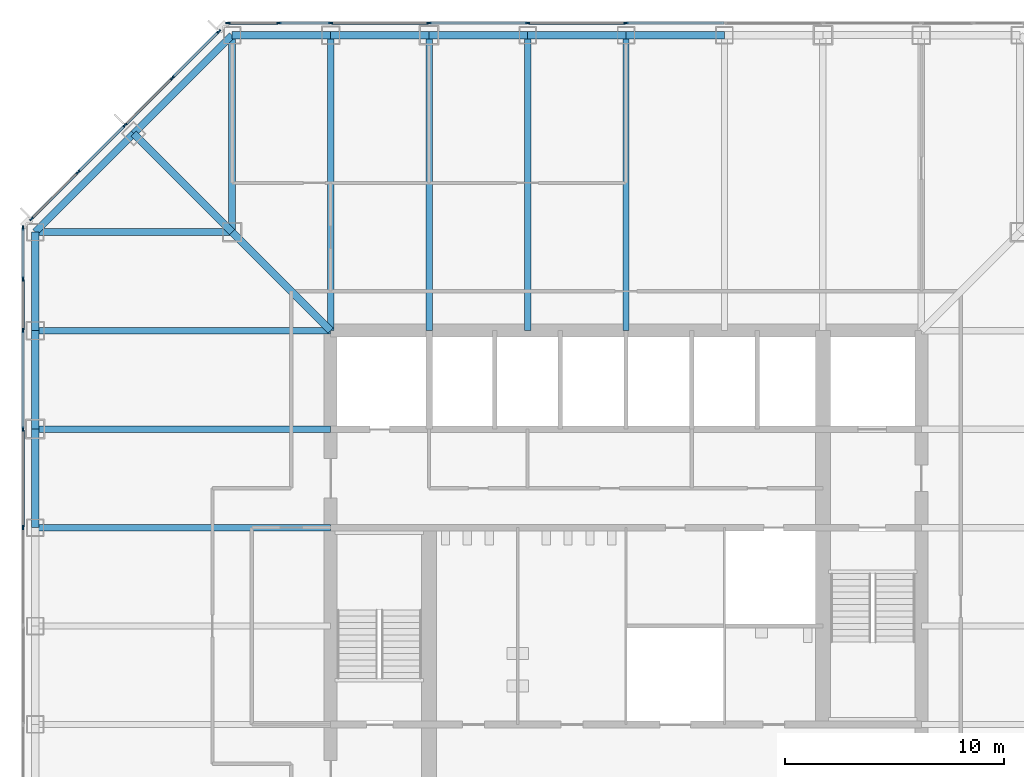
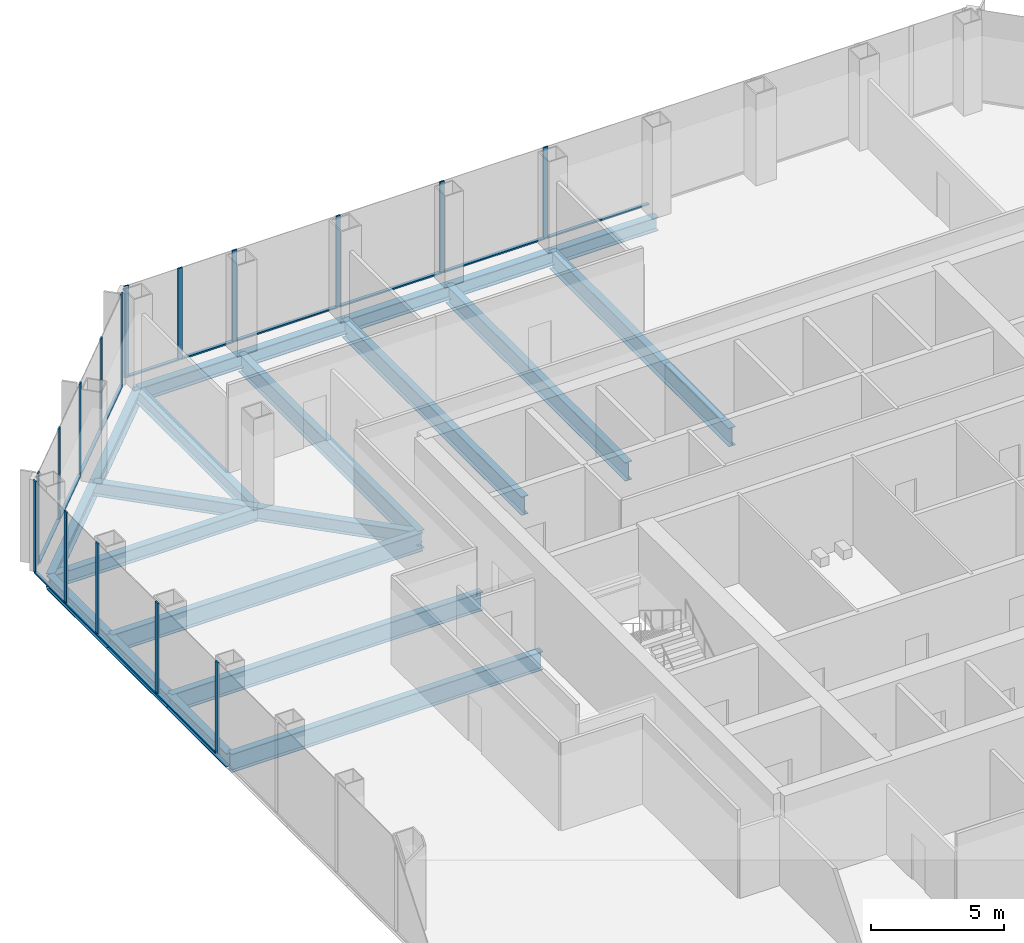
# One storey, part 5 of 12: 30 members, 21 beams, 3 elements without a shape of their own.
"""IFC4 building model written with IfcOpenShell, lengths in metres."""

import ifcopenshell
import ifcopenshell.guid

model = None  # the IFC model being written
_history = None  # IfcOwnerHistory: only IFC2X3 demands one
_inside = {}  # id of a spatial element -> (the spatial element, [elements in it])
_under = {}  # id of a project, library or spatial element -> (it, [spatial elements below it])
_declared = {}  # id of a project -> (the project, [libraries it declares])
_typed = {}  # id of a type object -> (the type object, [elements of that type])
_made_of = {}  # id of a material, layer set ... -> (it, [elements and type objects made of it])


def new_model(schema):
    """Start an empty IFC model of exactly this schema.

    Asked for "IFC4X3", IfcOpenShell would pick the latest addendum, in which some entities
    have other attributes; the version numbers below select the first issue.
    IFC2X3 requires an IfcOwnerHistory on every rooted entity: one is made here for all.
    """
    global model, _history
    if schema == "IFC4X3":
        model = ifcopenshell.file(schema_version=(4, 3, 0, 0))
    else:
        model = ifcopenshell.file(schema=schema)
    _inside.clear()
    _under.clear()
    _declared.clear()
    _typed.clear()
    _made_of.clear()
    _history = None
    if model.schema == "IFC2X3":
        org = make("IfcOrganization", Name="unknown")
        user = make(
            "IfcPersonAndOrganization",
            ThePerson=make("IfcPerson", FamilyName="unknown"),
            TheOrganization=org,
        )
        app = make(
            "IfcApplication",
            ApplicationDeveloper=org,
            Version="unknown",
            ApplicationFullName="unknown",
            ApplicationIdentifier="unknown",
        )
        _history = make(
            "IfcOwnerHistory",
            OwningUser=user,
            OwningApplication=app,
            ChangeAction="ADDED",
            CreationDate=0,
        )
    return model


def make(cls, **values):
    """One entity of the class cls with the attributes given. An attribute that is None is left unset."""
    return model.create_entity(
        cls, **{name: value for name, value in values.items() if value is not None}
    )


def rooted(cls, **values):
    """An entity with a GlobalId (a new one), such as an element, a storey or a relation."""
    return make(cls, GlobalId=ifcopenshell.guid.new(), OwnerHistory=_history, **values)


def si_unit(unit_type, name, prefix=None):
    """IfcSIUnit, for example si_unit("LENGTHUNIT", "METRE", prefix="MILLI")."""
    return make("IfcSIUnit", UnitType=unit_type, Prefix=prefix, Name=name)


def assignment(units):
    """IfcUnitAssignment: the units of a project."""
    return None if units is None else make("IfcUnitAssignment", Units=units)


def point(xyz):
    """IfcCartesianPoint."""
    return None if xyz is None else make("IfcCartesianPoint", Coordinates=xyz)


def direction(xyz):
    """IfcDirection."""
    return None if xyz is None else make("IfcDirection", DirectionRatios=xyz)


def frame(location, z_axis=None, x_axis=None):
    """IfcAxis2Placement3D, a coordinate frame: its origin and axes. An axis left out is left unset."""
    return make(
        "IfcAxis2Placement3D",
        Location=point(location),
        Axis=direction(z_axis),
        RefDirection=direction(x_axis),
    )


def frame_2d(location, x_axis=None):
    """IfcAxis2Placement2D, a coordinate frame in the plane: its origin and x axis."""
    return make(
        "IfcAxis2Placement2D", Location=point(location), RefDirection=direction(x_axis)
    )


def origin():
    """The frame at (0, 0, 0) with its axes left unset."""
    return frame((0.0, 0.0, 0.0))


def origin_2d():
    """The frame at (0, 0) in the plane with its x axis left unset."""
    return frame_2d((0.0, 0.0))


def place(relative_to, where):
    """IfcLocalPlacement: puts the frame where relative to a parent placement (None: the world)."""
    return make(
        "IfcLocalPlacement", PlacementRelTo=relative_to, RelativePlacement=where
    )


def context(
    kind, dimensions, precision=None, world=None, true_north=None, identifier=None
):
    """IfcGeometricRepresentationContext, for example the 3D "Model" context."""
    return make(
        "IfcGeometricRepresentationContext",
        ContextIdentifier=identifier,
        ContextType=kind,
        CoordinateSpaceDimension=dimensions,
        Precision=precision,
        WorldCoordinateSystem=world,
        TrueNorth=true_north,
    )


def subcontext(parent, identifier, kind, view, scale=None):
    """IfcGeometricRepresentationSubContext, for example "Body" below "Model"."""
    return make(
        "IfcGeometricRepresentationSubContext",
        ContextIdentifier=identifier,
        ContextType=kind,
        ParentContext=parent,
        TargetScale=scale,
        TargetView=view,
    )


def project(units=None, contexts=None):
    """IfcProject with its units and contexts."""
    return rooted(
        "IfcProject",
        Name="project",
        RepresentationContexts=contexts,
        UnitsInContext=assignment(units),
    )


def spatial(cls, under=None, at=None, **own):
    """A site, building, storey or space (cls), placed at a placement, below another one or the project."""
    s = rooted(cls, ObjectPlacement=at, **own)
    if under is not None:
        _under.setdefault(under.id(), (under, []))[1].append(s)
    return s


def profile(cls, at=None, kind="AREA", **sizes):
    """A parametric profile (cls). Its sizes go by their IFC names, for example OverallWidth=200.0."""
    return make(cls, ProfileType=kind, Position=at, **sizes)


def rectangle(**sizes):
    """IfcRectangleProfileDef."""
    return profile("IfcRectangleProfileDef", **sizes)


def i_section(**sizes):
    """IfcIShapeProfileDef."""
    return profile("IfcIShapeProfileDef", **sizes)


def extrude(swept, where, along, depth):
    """IfcExtrudedAreaSolid: the profile swept, set in the frame where, extruded along a direction by depth."""
    return make(
        "IfcExtrudedAreaSolid",
        SweptArea=swept,
        Position=where,
        ExtrudedDirection=direction(along),
        Depth=depth,
    )


def shape(context_of_items, identifier, shape_type, items):
    """IfcShapeRepresentation: the items that make up one representation, for example the "Body"."""
    return make(
        "IfcShapeRepresentation",
        ContextOfItems=context_of_items,
        RepresentationIdentifier=identifier,
        RepresentationType=shape_type,
        Items=items,
    )


def material(Name=None, Category=None):
    """IfcMaterial."""
    return make("IfcMaterial", Name=Name, Category=Category)


def material_profile(
    of_material, cross_section, Name=None, Category=None, Priority=None
):
    """IfcMaterialProfile: a cross section and its material."""
    return make(
        "IfcMaterialProfile",
        Name=Name,
        Material=of_material,
        Profile=cross_section,
        Priority=Priority,
        Category=Category,
    )


def profile_set(profiles, Name=None, composite=None):
    """IfcMaterialProfileSet."""
    return make(
        "IfcMaterialProfileSet",
        Name=Name,
        MaterialProfiles=profiles,
        CompositeProfile=composite,
    )


def made_of(thing, what):
    """Note that an element or type object is made of a material, layer set ...; save() writes the relation."""
    if what is not None:
        _made_of.setdefault(what.id(), (what, []))[1].append(thing)
    return thing


def type_object(cls, material=None, **own):
    """A type object (cls), such as IfcWallType, which elements share."""
    return made_of(rooted(cls, **own), material)


def element(
    cls,
    number,
    at=None,
    inside=None,
    cuts=None,
    type_object=None,
    material=None,
    context=None,
    identifier="Body",
    shape_type=None,
    held_by="IfcProductDefinitionShape",
    body=None,
    shapes=None,
    **own,
):
    """One element of the class cls, such as IfcWall. Its Tag is "e" and its number.

    at: its placement. inside: the storey or other place that contains it. cuts: it is an
    opening in that element (IfcRelVoidsElement). A single representation is given by context,
    identifier, shape_type and body (its items); several are given by shapes. held_by: the class
    of the entity that holds the representations. save() writes the other relations.
    """
    e = rooted(cls, Tag="e%d" % number, ObjectPlacement=at, **own)
    if body is not None:
        shapes = [shape(context, identifier, shape_type, body)]
    if shapes is not None:
        e.Representation = make(held_by, Representations=shapes)
    if inside is not None:
        _inside.setdefault(inside.id(), (inside, []))[1].append(e)
    if cuts is not None:
        rooted(
            "IfcRelVoidsElement", RelatingBuildingElement=cuts, RelatedOpeningElement=e
        )
    if type_object is not None:
        _typed.setdefault(type_object.id(), (type_object, []))[1].append(e)
    return made_of(e, material)


def aggregate(whole, parts):
    """IfcRelAggregates: a whole, such as a stair, and the parts it consists of."""
    return rooted("IfcRelAggregates", RelatingObject=whole, RelatedObjects=parts)


def save(model, path):
    """Write the relations noted so far, then the file.

    IfcRelAggregates (storeys below a building ...), IfcRelContainedInSpatialStructure (elements
    in a storey), IfcRelDefinesByType, IfcRelAssociatesMaterial and IfcRelDeclares: one each for
    every whole, place, type object, material and project.
    """
    for whole, parts in _under.values():
        aggregate(whole, parts)
    for where, things in _inside.values():
        rooted(
            "IfcRelContainedInSpatialStructure",
            RelatedElements=things,
            RelatingStructure=where,
        )
    for kind, things in _typed.values():
        rooted("IfcRelDefinesByType", RelatedObjects=things, RelatingType=kind)
    for what, things in _made_of.values():
        rooted("IfcRelAssociatesMaterial", RelatedObjects=things, RelatingMaterial=what)
    for by, libraries in _declared.values():
        rooted("IfcRelDeclares", RelatingContext=by, RelatedDefinitions=libraries)
    model.write(path)


model = new_model("IFC4")

# Units and contexts
model_context = context("Model", 3, precision=1e-05, world=origin(), true_north=direction((0.0, 1.0)))
body_context = subcontext(model_context, "Body", "Model", "MODEL_VIEW")
ifc_project = project(units=[si_unit("LENGTHUNIT", "METRE"), si_unit("AREAUNIT", "SQUARE_METRE"), si_unit("VOLUMEUNIT", "CUBIC_METRE"), si_unit("PLANEANGLEUNIT", "RADIAN"), si_unit("MASSUNIT", "GRAM", prefix="KILO")], contexts=[model_context])

# Site, building, storey
site_placement = place(None, origin())
site = spatial("IfcSite", under=ifc_project, at=site_placement, CompositionType="ELEMENT")
building_placement = place(site_placement, origin())
building = spatial("IfcBuilding", under=site, at=building_placement, Name="Corais Broadcast Tower", CompositionType="ELEMENT")
storey_placement = place(building_placement, frame((0.0, 0.0, 45.800048828125)))
storey = spatial("IfcBuildingStorey", under=building, at=storey_placement, Name="L09", CompositionType="ELEMENT", Elevation=45.800048828125)

# Beams
ifc_material_1 = material(Name="Steel ASTM A572 Grade 50", Category="steel")
ifc_material_profile_1 = material_profile(ifc_material_1, i_section(OverallWidth=0.323974609375, OverallDepth=0.611083984375, WebThickness=0.0126953125, FlangeThickness=0.01904296875, at=origin_2d()), Name="W610x155")
ifc_profile_set_1 = profile_set([ifc_material_profile_1], Name="Steel ASTM A572 Grade 50")
beam_type_1 = type_object("IfcBeamType", Name="Chamfer tie W610x155", PredefinedType="BEAM", material=ifc_profile_set_1)
beam_1_placement = place(storey_placement, frame((4.5, 49.5, -0.465576171875), z_axis=(0.707106781187, -0.707106781187, 0.0), x_axis=(0.707106781187, 0.707106781187, 0.0)))
element("IfcBeam", 1, at=beam_1_placement, inside=storey, type_object=beam_type_1, Name="B5 M/4 to L/5", PredefinedType="BEAM", context=body_context, shape_type="SweptSolid", body=[
    extrude(i_section(OverallWidth=0.323974609375, OverallDepth=0.611083984375, WebThickness=0.0126953125, FlangeThickness=0.01904296875, at=origin_2d()), origin(), (0.0, 0.0, 1.0), 6.364013671875),
])
ifc_material_2 = material(Name="Steel ASTM A572 Grade 50", Category="steel")
ifc_material_profile_2 = material_profile(ifc_material_2, i_section(OverallWidth=0.323974609375, OverallDepth=0.611083984375, WebThickness=0.0126953125, FlangeThickness=0.01904296875, at=origin_2d()), Name="W610x155")
ifc_profile_set_2 = profile_set([ifc_material_profile_2], Name="Steel ASTM A572 Grade 50")
beam_type_2 = type_object("IfcBeamType", Name="Corner diagonal W610x155", PredefinedType="BEAM", material=ifc_profile_set_2)
beam_2_placement = place(storey_placement, frame((9.0, 45.0, -0.465576171875), z_axis=(0.707106781187, -0.707106781187, 0.0), x_axis=(0.707106781187, 0.707106781187, 0.0)))
element("IfcBeam", 2, at=beam_2_placement, inside=storey, type_object=beam_type_2, Name="B6 L/5 to K/6", PredefinedType="BEAM", context=body_context, shape_type="SweptSolid", body=[
    extrude(i_section(OverallWidth=0.323974609375, OverallDepth=0.611083984375, WebThickness=0.0126953125, FlangeThickness=0.01904296875, at=origin_2d()), origin(), (0.0, 0.0, 1.0), 6.364013671875),
])
ifc_material_3 = material(Name="Steel ASTM A572 Grade 50", Category="steel")
ifc_material_profile_3 = material_profile(ifc_material_3, i_section(OverallWidth=0.323974609375, OverallDepth=0.611083984375, WebThickness=0.0126953125, FlangeThickness=0.01904296875, at=origin_2d()), Name="W610x155")
ifc_profile_set_3 = profile_set([ifc_material_profile_3], Name="Steel ASTM A572 Grade 50")
beam_type_3 = type_object("IfcBeamType", Name="Corner girder W610x155", PredefinedType="BEAM", material=ifc_profile_set_3)
for number, where, z_axis, x_axis, name in (
    (3, (0.0, 45.0, -0.465576171875), (1.0, 0.0, 0.0), (0.0, 1.0, 0.0), "B4 L/3 to L/5"),
    (4, (9.0, 54.0, -0.465576171875), (0.0, -1.0, 0.0), (1.0, 0.0, 0.0), "B4 N/5 to L/5"),
):
    element("IfcBeam", number, at=place(storey_placement, frame(where, z_axis=z_axis, x_axis=x_axis)), inside=storey, type_object=beam_type_3, Name=name, PredefinedType="BEAM", context=body_context, shape_type="SweptSolid", body=[
        extrude(i_section(OverallWidth=0.323974609375, OverallDepth=0.611083984375, WebThickness=0.0126953125, FlangeThickness=0.01904296875, at=origin_2d()), origin(), (0.0, 0.0, 1.0), 9.0),
    ])
ifc_material_4 = material(Name="Steel ASTM A572 Grade 50", Category="steel")
ifc_material_profile_4 = material_profile(ifc_material_4, i_section(OverallWidth=0.2939453125, OverallDepth=0.85107421875, WebThickness=0.01611328125, FlangeThickness=0.02685546875, at=origin_2d()), Name="W840x226")
ifc_profile_set_4 = profile_set([ifc_material_profile_4], Name="Steel ASTM A572 Grade 50")
beam_type_4 = type_object("IfcBeamType", Name="Floor beam W840x226", PredefinedType="BEAM", material=ifc_profile_set_4)
for number, where, z_axis, x_axis, name in (
    (5, (0.0, 31.5, -0.58544921875), (1.0, 0.0, 0.0), (0.0, 1.0, 0.0), "B1 H/3 to H/6"),
    (6, (0.0, 36.0, -0.58544921875), (1.0, 0.0, 0.0), (0.0, 1.0, 0.0), "B1 J/3 to J/6"),
    (7, (0.0, 40.5, -0.58544921875), (1.0, 0.0, 0.0), (0.0, 1.0, 0.0), "B1 K/3 to K/6"),
    (8, (13.5, 54.0, -0.58544921875), (0.0, -1.0, 0.0), (1.0, 0.0, 0.0), "B1 N/6 to K/6"),
    (9, (18.0, 54.0, -0.58544921875), (0.0, -1.0, 0.0), (1.0, 0.0, 0.0), "B1 N/7 to K/7"),
    (10, (22.5, 54.0, -0.58544921875), (0.0, -1.0, 0.0), (1.0, 0.0, 0.0), "B1 N/8 to K/8"),
    (11, (27.0, 54.0, -0.58544921875), (0.0, -1.0, 0.0), (1.0, 0.0, 0.0), "B1 N/9 to K/9"),
):
    element("IfcBeam", number, at=place(storey_placement, frame(where, z_axis=z_axis, x_axis=x_axis)), inside=storey, type_object=beam_type_4, Name=name, PredefinedType="BEAM", context=body_context, shape_type="SweptSolid", body=[
        extrude(i_section(OverallWidth=0.2939453125, OverallDepth=0.85107421875, WebThickness=0.01611328125, FlangeThickness=0.02685546875, at=origin_2d()), origin(), (0.0, 0.0, 1.0), 13.5),
    ])

# Curtain wall, members
ifc_material_5 = material(Name="Aluminium and glass", Category="aluminium")
curtain_wall_type = type_object("IfcCurtainWallType", Name="Unitised fritted curtain wall CW1", PredefinedType="NOTDEFINED", material=ifc_material_5)
curtain_wall_1_placement = place(storey_placement, origin())
curtain_wall_1 = element("IfcCurtainWall", 12, at=curtain_wall_1_placement, inside=storey, type_object=curtain_wall_type, Name="CW1 curtain wall L09 2", PredefinedType="NOTDEFINED")
ifc_material_6 = material(Name="Aluminium 6063-T6", Category="aluminium")
ifc_material_profile_5 = material_profile(ifc_material_6, rectangle(XDim=0.06494140625, YDim=0.199951171875, at=origin_2d()), Name="Mullion CW1 65x200")
ifc_profile_set_5 = profile_set([ifc_material_profile_5], Name="Aluminium 6063-T6")
member_type_1 = type_object("IfcMemberType", Name="Mullion CW1 65x200", PredefinedType="MULLION", material=ifc_profile_set_5)
member_1_placement = place(storey_placement, frame((-0.550048828125, 31.5, 0.0), z_axis=(0.0, 0.0, 1.0), x_axis=(-1.0, 0.0, 0.0)))
member_1 = element("IfcMember", 13, at=member_1_placement, type_object=member_type_1, Name="CW1 mullion 7", PredefinedType="MULLION", context=body_context, shape_type="SweptSolid", body=[
    extrude(rectangle(XDim=0.06494140625, YDim=0.199951171875, at=origin_2d()), origin(), (0.0, 0.0, 1.0), 4.199951171875),
])
member_2_placement = place(storey_placement, frame((-0.550048828125, 36.0, 0.0), z_axis=(0.0, 0.0, 1.0), x_axis=(-1.0, 0.0, 0.0)))
member_2 = element("IfcMember", 14, at=member_2_placement, type_object=member_type_1, Name="CW1 mullion 8", PredefinedType="MULLION", context=body_context, shape_type="SweptSolid", body=[
    extrude(rectangle(XDim=0.06494140625, YDim=0.199951171875, at=origin_2d()), origin(), (0.0, 0.0, 1.0), 4.199951171875),
])
member_3_placement = place(storey_placement, frame((-0.550048828125, 40.5, 0.0), z_axis=(0.0, 0.0, 1.0), x_axis=(-1.0, 0.0, 0.0)))
member_3 = element("IfcMember", 15, at=member_3_placement, type_object=member_type_1, Name="CW1 mullion 9", PredefinedType="MULLION", context=body_context, shape_type="SweptSolid", body=[
    extrude(rectangle(XDim=0.06494140625, YDim=0.199951171875, at=origin_2d()), origin(), (0.0, 0.0, 1.0), 4.199951171875),
])
member_4_placement = place(storey_placement, frame((-0.550048828125, 42.864013671875, 0.0), z_axis=(0.0, 0.0, 1.0), x_axis=(-1.0, 0.0, 0.0)))
member_4 = element("IfcMember", 16, at=member_4_placement, type_object=member_type_1, Name="CW1 mullion 10", PredefinedType="MULLION", context=body_context, shape_type="SweptSolid", body=[
    extrude(rectangle(XDim=0.06494140625, YDim=0.199951171875, at=origin_2d()), origin(), (0.0, 0.0, 1.0), 4.199951171875),
])
member_5_placement = place(storey_placement, frame((-0.550048828125, 45.1953125, 0.0), z_axis=(0.0, 0.0, 1.0), x_axis=(-1.0, 0.0, 0.0)))
member_5 = element("IfcMember", 17, at=member_5_placement, type_object=member_type_1, Name="CW1 mullion 11", PredefinedType="MULLION", context=body_context, shape_type="SweptSolid", body=[
    extrude(rectangle(XDim=0.06494140625, YDim=0.199951171875, at=origin_2d()), origin(), (0.0, 0.0, 1.0), 4.199951171875),
])

curtain_wall_2_placement = place(storey_placement, origin())
curtain_wall_2 = element("IfcCurtainWall", 18, at=curtain_wall_2_placement, inside=storey, type_object=curtain_wall_type, Name="CW1 curtain wall L09 3", PredefinedType="NOTDEFINED")
member_6_placement = place(storey_placement, frame((-0.17333984375, 45.6044921875, 0.0), z_axis=(0.0, 0.0, 1.0), x_axis=(-0.707106781187, 0.707106781187, 0.0)))
member_6 = element("IfcMember", 19, at=member_6_placement, type_object=member_type_1, Name="CW1 mullion 1", PredefinedType="MULLION", context=body_context, shape_type="SweptSolid", body=[
    extrude(rectangle(XDim=0.06494140625, YDim=0.199951171875, at=origin_2d()), origin(), (0.0, 0.0, 1.0), 4.199951171875),
])
member_7_placement = place(storey_placement, frame((1.957275390625, 47.735107421875, 0.0), z_axis=(0.0, 0.0, 1.0), x_axis=(-0.707106781187, 0.707106781187, 0.0)))
member_7 = element("IfcMember", 20, at=member_7_placement, type_object=member_type_1, Name="CW1 mullion 2", PredefinedType="MULLION", context=body_context, shape_type="SweptSolid", body=[
    extrude(rectangle(XDim=0.06494140625, YDim=0.199951171875, at=origin_2d()), origin(), (0.0, 0.0, 1.0), 4.199951171875),
])
member_8_placement = place(storey_placement, frame((4.111083984375, 49.888916015625, 0.0), z_axis=(0.0, 0.0, 1.0), x_axis=(-0.707106781187, 0.707106781187, 0.0)))
member_8 = element("IfcMember", 21, at=member_8_placement, type_object=member_type_1, Name="CW1 mullion 3", PredefinedType="MULLION", context=body_context, shape_type="SweptSolid", body=[
    extrude(rectangle(XDim=0.06494140625, YDim=0.199951171875, at=origin_2d()), origin(), (0.0, 0.0, 1.0), 4.199951171875),
])
member_9_placement = place(storey_placement, frame((6.264892578125, 52.042724609375, 0.0), z_axis=(0.0, 0.0, 1.0), x_axis=(-0.707106781187, 0.707106781187, 0.0)))
member_9 = element("IfcMember", 22, at=member_9_placement, type_object=member_type_1, Name="CW1 mullion 4", PredefinedType="MULLION", context=body_context, shape_type="SweptSolid", body=[
    extrude(rectangle(XDim=0.06494140625, YDim=0.199951171875, at=origin_2d()), origin(), (0.0, 0.0, 1.0), 4.199951171875),
])
member_10_placement = place(storey_placement, frame((8.3955078125, 54.17333984375, 0.0), z_axis=(0.0, 0.0, 1.0), x_axis=(-0.707106781187, 0.707106781187, 0.0)))
member_10 = element("IfcMember", 23, at=member_10_placement, type_object=member_type_1, Name="CW1 mullion 5", PredefinedType="MULLION", context=body_context, shape_type="SweptSolid", body=[
    extrude(rectangle(XDim=0.06494140625, YDim=0.199951171875, at=origin_2d()), origin(), (0.0, 0.0, 1.0), 4.199951171875),
])

curtain_wall_3_placement = place(storey_placement, origin())
curtain_wall_3 = element("IfcCurtainWall", 24, at=curtain_wall_3_placement, inside=storey, type_object=curtain_wall_type, Name="CW1 curtain wall L09 4", PredefinedType="NOTDEFINED")
member_11_placement = place(storey_placement, frame((8.8046875, 54.550048828125, 0.0), z_axis=(0.0, 0.0, 1.0), x_axis=(0.0, 1.0, 0.0)))
member_11 = element("IfcMember", 25, at=member_11_placement, type_object=member_type_1, Name="CW1 mullion 1", PredefinedType="MULLION", context=body_context, shape_type="SweptSolid", body=[
    extrude(rectangle(XDim=0.06494140625, YDim=0.199951171875, at=origin_2d()), origin(), (0.0, 0.0, 1.0), 4.199951171875),
])
member_12_placement = place(storey_placement, frame((11.135986328125, 54.550048828125, 0.0), z_axis=(0.0, 0.0, 1.0), x_axis=(0.0, 1.0, 0.0)))
member_12 = element("IfcMember", 26, at=member_12_placement, type_object=member_type_1, Name="CW1 mullion 2", PredefinedType="MULLION", context=body_context, shape_type="SweptSolid", body=[
    extrude(rectangle(XDim=0.06494140625, YDim=0.199951171875, at=origin_2d()), origin(), (0.0, 0.0, 1.0), 4.199951171875),
])
member_13_placement = place(storey_placement, frame((13.5, 54.550048828125, 0.0), z_axis=(0.0, 0.0, 1.0), x_axis=(0.0, 1.0, 0.0)))
member_13 = element("IfcMember", 27, at=member_13_placement, type_object=member_type_1, Name="CW1 mullion 3", PredefinedType="MULLION", context=body_context, shape_type="SweptSolid", body=[
    extrude(rectangle(XDim=0.06494140625, YDim=0.199951171875, at=origin_2d()), origin(), (0.0, 0.0, 1.0), 4.199951171875),
])
member_14_placement = place(storey_placement, frame((18.0, 54.550048828125, 0.0), z_axis=(0.0, 0.0, 1.0), x_axis=(0.0, 1.0, 0.0)))
member_14 = element("IfcMember", 28, at=member_14_placement, type_object=member_type_1, Name="CW1 mullion 4", PredefinedType="MULLION", context=body_context, shape_type="SweptSolid", body=[
    extrude(rectangle(XDim=0.06494140625, YDim=0.199951171875, at=origin_2d()), origin(), (0.0, 0.0, 1.0), 4.199951171875),
])
member_15_placement = place(storey_placement, frame((22.5, 54.550048828125, 0.0), z_axis=(0.0, 0.0, 1.0), x_axis=(0.0, 1.0, 0.0)))
member_15 = element("IfcMember", 29, at=member_15_placement, type_object=member_type_1, Name="CW1 mullion 5", PredefinedType="MULLION", context=body_context, shape_type="SweptSolid", body=[
    extrude(rectangle(XDim=0.06494140625, YDim=0.199951171875, at=origin_2d()), origin(), (0.0, 0.0, 1.0), 4.199951171875),
])
member_16_placement = place(storey_placement, frame((27.0, 54.550048828125, 0.0), z_axis=(0.0, 0.0, 1.0), x_axis=(0.0, 1.0, 0.0)))
member_16 = element("IfcMember", 30, at=member_16_placement, type_object=member_type_1, Name="CW1 mullion 6", PredefinedType="MULLION", context=body_context, shape_type="SweptSolid", body=[
    extrude(rectangle(XDim=0.06494140625, YDim=0.199951171875, at=origin_2d()), origin(), (0.0, 0.0, 1.0), 4.199951171875),
])

# Beams
ifc_material_7 = material(Name="Steel ASTM A572 Grade 50", Category="steel")
ifc_material_profile_6 = material_profile(ifc_material_7, i_section(OverallWidth=0.3291015625, OverallDepth=0.635009765625, WebThickness=0.017822265625, FlangeThickness=0.031005859375, at=origin_2d()), Name="W610x241")
ifc_profile_set_6 = profile_set([ifc_material_profile_6], Name="Steel ASTM A572 Grade 50")
beam_type_5 = type_object("IfcBeamType", Name="Spandrel W610x241", PredefinedType="BEAM", material=ifc_profile_set_6)
for number, where, z_axis, x_axis, name in (
    (31, (0.0, 36.0, -0.4775390625), (0.0, -1.0, 0.0), (1.0, 0.0, 0.0), "SB1 J/3 to H/3"),
    (32, (0.0, 40.5, -0.4775390625), (0.0, -1.0, 0.0), (1.0, 0.0, 0.0), "SB1 K/3 to J/3"),
    (33, (0.0, 45.0, -0.4775390625), (0.0, -1.0, 0.0), (1.0, 0.0, 0.0), "SB1 L/3 to K/3"),
    (34, (13.5, 54.0, -0.4775390625), (-1.0, 0.0, 0.0), (0.0, -1.0, 0.0), "SB1 N/6 to N/5"),
    (35, (18.0, 54.0, -0.4775390625), (-1.0, 0.0, 0.0), (0.0, -1.0, 0.0), "SB1 N/7 to N/6"),
    (36, (22.5, 54.0, -0.4775390625), (-1.0, 0.0, 0.0), (0.0, -1.0, 0.0), "SB1 N/8 to N/7"),
    (37, (27.0, 54.0, -0.4775390625), (-1.0, 0.0, 0.0), (0.0, -1.0, 0.0), "SB1 N/9 to N/8"),
    (38, (31.5, 54.0, -0.4775390625), (-1.0, 0.0, 0.0), (0.0, -1.0, 0.0), "SB1 N/10 to N/9"),
):
    element("IfcBeam", number, at=place(storey_placement, frame(where, z_axis=z_axis, x_axis=x_axis)), inside=storey, type_object=beam_type_5, Name=name, PredefinedType="BEAM", context=body_context, shape_type="SweptSolid", body=[
        extrude(i_section(OverallWidth=0.3291015625, OverallDepth=0.635009765625, WebThickness=0.017822265625, FlangeThickness=0.031005859375, at=origin_2d()), origin(), (0.0, 0.0, 1.0), 4.5),
    ])
for number, where, z_axis, x_axis, name in (
    (39, (4.5, 49.5, -0.4775390625), (-0.707106781187, -0.707106781187, 0.0), (0.707106781187, -0.707106781187, 0.0), "SB1 M/4 to L/3"),
    (40, (9.0, 54.0, -0.4775390625), (-0.707106781187, -0.707106781187, 0.0), (0.707106781187, -0.707106781187, 0.0), "SB1 N/5 to M/4"),
):
    element("IfcBeam", number, at=place(storey_placement, frame(where, z_axis=z_axis, x_axis=x_axis)), inside=storey, type_object=beam_type_5, Name=name, PredefinedType="BEAM", context=body_context, shape_type="SweptSolid", body=[
        extrude(i_section(OverallWidth=0.3291015625, OverallDepth=0.635009765625, WebThickness=0.017822265625, FlangeThickness=0.031005859375, at=origin_2d()), origin(), (0.0, 0.0, 1.0), 6.364013671875),
    ])

# Member
ifc_material_8 = material(Name="Aluminium 6063-T6", Category="aluminium")
ifc_material_profile_7 = material_profile(ifc_material_8, rectangle(XDim=0.139892578125, YDim=0.06494140625, at=origin_2d()), Name="Transom CW1 65x140")
ifc_profile_set_7 = profile_set([ifc_material_profile_7], Name="Aluminium 6063-T6")
member_type_2 = type_object("IfcMemberType", Name="Transom CW1 65x140", PredefinedType="USERDEFINED", material=ifc_profile_set_7)
member_17_placement = place(storey_placement, frame((-0.550048828125, 31.532470703125, 0.032470703125), z_axis=(0.0, 1.0, 0.0), x_axis=(-1.0, 0.0, 0.0)))
member_17 = element("IfcMember", 41, at=member_17_placement, type_object=member_type_2, Name="CW1 transom 7.1", ObjectType="TRANSOM", PredefinedType="USERDEFINED", context=body_context, shape_type="SweptSolid", body=[
    extrude(rectangle(XDim=0.139892578125, YDim=0.06494140625, at=origin_2d()), origin(), (0.0, 0.0, 1.0), 4.43505859375),
])

member_18_placement = place(storey_placement, frame((-0.550048828125, 36.032470703125, 0.032470703125), z_axis=(0.0, 1.0, 0.0), x_axis=(-1.0, 0.0, 0.0)))
member_18 = element("IfcMember", 42, at=member_18_placement, type_object=member_type_2, Name="CW1 transom 8.1", ObjectType="TRANSOM", PredefinedType="USERDEFINED", context=body_context, shape_type="SweptSolid", body=[
    extrude(rectangle(XDim=0.139892578125, YDim=0.06494140625, at=origin_2d()), origin(), (0.0, 0.0, 1.0), 4.43505859375),
])

member_19_placement = place(storey_placement, frame((-0.550048828125, 40.532470703125, 0.032470703125), z_axis=(0.0, 1.0, 0.0), x_axis=(-1.0, 0.0, 0.0)))
member_19 = element("IfcMember", 43, at=member_19_placement, type_object=member_type_2, Name="CW1 transom 9.1", ObjectType="TRANSOM", PredefinedType="USERDEFINED", context=body_context, shape_type="SweptSolid", body=[
    extrude(rectangle(XDim=0.139892578125, YDim=0.06494140625, at=origin_2d()), origin(), (0.0, 0.0, 1.0), 2.298828125),
])

member_20_placement = place(storey_placement, frame((-0.550048828125, 42.896484375, 0.032470703125), z_axis=(0.0, 1.0, 0.0), x_axis=(-1.0, 0.0, 0.0)))
member_20 = element("IfcMember", 44, at=member_20_placement, type_object=member_type_2, Name="CW1 transom 10.1", ObjectType="TRANSOM", PredefinedType="USERDEFINED", context=body_context, shape_type="SweptSolid", body=[
    extrude(rectangle(XDim=0.139892578125, YDim=0.06494140625, at=origin_2d()), origin(), (0.0, 0.0, 1.0), 2.266357421875),
])

aggregate(curtain_wall_1, [member_1, member_2, member_3, member_4, member_5, member_17, member_18, member_19, member_20])

member_21_placement = place(storey_placement, frame((-0.150390625, 45.62744140625, 0.032470703125), z_axis=(0.707106781187, 0.707106781187, 0.0), x_axis=(-0.707106781187, 0.707106781187, 0.0)))
member_21 = element("IfcMember", 45, at=member_21_placement, type_object=member_type_2, Name="CW1 transom 1.1", ObjectType="TRANSOM", PredefinedType="USERDEFINED", context=body_context, shape_type="SweptSolid", body=[
    extrude(rectangle(XDim=0.139892578125, YDim=0.06494140625, at=origin_2d()), origin(), (0.0, 0.0, 1.0), 2.9482421875),
])

member_22_placement = place(storey_placement, frame((1.980224609375, 47.758056640625, 0.032470703125), z_axis=(0.707106781187, 0.707106781187, 0.0), x_axis=(-0.707106781187, 0.707106781187, 0.0)))
member_22 = element("IfcMember", 46, at=member_22_placement, type_object=member_type_2, Name="CW1 transom 2.1", ObjectType="TRANSOM", PredefinedType="USERDEFINED", context=body_context, shape_type="SweptSolid", body=[
    extrude(rectangle(XDim=0.139892578125, YDim=0.06494140625, at=origin_2d()), origin(), (0.0, 0.0, 1.0), 2.98095703125),
])

member_23_placement = place(storey_placement, frame((4.134033203125, 49.911865234375, 0.032470703125), z_axis=(0.707106781187, 0.707106781187, 0.0), x_axis=(-0.707106781187, 0.707106781187, 0.0)))
member_23 = element("IfcMember", 47, at=member_23_placement, type_object=member_type_2, Name="CW1 transom 3.1", ObjectType="TRANSOM", PredefinedType="USERDEFINED", context=body_context, shape_type="SweptSolid", body=[
    extrude(rectangle(XDim=0.139892578125, YDim=0.06494140625, at=origin_2d()), origin(), (0.0, 0.0, 1.0), 2.98095703125),
])

member_24_placement = place(storey_placement, frame((6.287841796875, 52.065673828125, 0.032470703125), z_axis=(0.707106781187, 0.707106781187, 0.0), x_axis=(-0.707106781187, 0.707106781187, 0.0)))
member_24 = element("IfcMember", 48, at=member_24_placement, type_object=member_type_2, Name="CW1 transom 4.1", ObjectType="TRANSOM", PredefinedType="USERDEFINED", context=body_context, shape_type="SweptSolid", body=[
    extrude(rectangle(XDim=0.139892578125, YDim=0.06494140625, at=origin_2d()), origin(), (0.0, 0.0, 1.0), 2.9482421875),
])

aggregate(curtain_wall_2, [member_6, member_7, member_8, member_9, member_10, member_21, member_22, member_23, member_24])

member_25_placement = place(storey_placement, frame((8.837158203125, 54.550048828125, 0.032470703125), z_axis=(1.0, 0.0, 0.0), x_axis=(0.0, 1.0, 0.0)))
member_25 = element("IfcMember", 49, at=member_25_placement, type_object=member_type_2, Name="CW1 transom 1.1", ObjectType="TRANSOM", PredefinedType="USERDEFINED", context=body_context, shape_type="SweptSolid", body=[
    extrude(rectangle(XDim=0.139892578125, YDim=0.06494140625, at=origin_2d()), origin(), (0.0, 0.0, 1.0), 2.266357421875),
])

member_26_placement = place(storey_placement, frame((11.168701171875, 54.550048828125, 0.032470703125), z_axis=(1.0, 0.0, 0.0), x_axis=(0.0, 1.0, 0.0)))
member_26 = element("IfcMember", 50, at=member_26_placement, type_object=member_type_2, Name="CW1 transom 2.1", ObjectType="TRANSOM", PredefinedType="USERDEFINED", context=body_context, shape_type="SweptSolid", body=[
    extrude(rectangle(XDim=0.139892578125, YDim=0.06494140625, at=origin_2d()), origin(), (0.0, 0.0, 1.0), 2.298828125),
])

member_27_placement = place(storey_placement, frame((13.532470703125, 54.550048828125, 0.032470703125), z_axis=(1.0, 0.0, 0.0), x_axis=(0.0, 1.0, 0.0)))
member_27 = element("IfcMember", 51, at=member_27_placement, type_object=member_type_2, Name="CW1 transom 3.1", ObjectType="TRANSOM", PredefinedType="USERDEFINED", context=body_context, shape_type="SweptSolid", body=[
    extrude(rectangle(XDim=0.139892578125, YDim=0.06494140625, at=origin_2d()), origin(), (0.0, 0.0, 1.0), 4.43505859375),
])

member_28_placement = place(storey_placement, frame((18.032470703125, 54.550048828125, 0.032470703125), z_axis=(1.0, 0.0, 0.0), x_axis=(0.0, 1.0, 0.0)))
member_28 = element("IfcMember", 52, at=member_28_placement, type_object=member_type_2, Name="CW1 transom 4.1", ObjectType="TRANSOM", PredefinedType="USERDEFINED", context=body_context, shape_type="SweptSolid", body=[
    extrude(rectangle(XDim=0.139892578125, YDim=0.06494140625, at=origin_2d()), origin(), (0.0, 0.0, 1.0), 4.43505859375),
])

member_29_placement = place(storey_placement, frame((22.532470703125, 54.550048828125, 0.032470703125), z_axis=(1.0, 0.0, 0.0), x_axis=(0.0, 1.0, 0.0)))
member_29 = element("IfcMember", 53, at=member_29_placement, type_object=member_type_2, Name="CW1 transom 5.1", ObjectType="TRANSOM", PredefinedType="USERDEFINED", context=body_context, shape_type="SweptSolid", body=[
    extrude(rectangle(XDim=0.139892578125, YDim=0.06494140625, at=origin_2d()), origin(), (0.0, 0.0, 1.0), 4.43505859375),
])

member_30_placement = place(storey_placement, frame((27.032470703125, 54.550048828125, 0.032470703125), z_axis=(1.0, 0.0, 0.0), x_axis=(0.0, 1.0, 0.0)))
member_30 = element("IfcMember", 54, at=member_30_placement, type_object=member_type_2, Name="CW1 transom 6.1", ObjectType="TRANSOM", PredefinedType="USERDEFINED", context=body_context, shape_type="SweptSolid", body=[
    extrude(rectangle(XDim=0.139892578125, YDim=0.06494140625, at=origin_2d()), origin(), (0.0, 0.0, 1.0), 4.43505859375),
])

aggregate(curtain_wall_3, [member_11, member_12, member_13, member_14, member_15, member_16, member_25, member_26, member_27, member_28, member_29, member_30])

save(model, "model.ifc")
